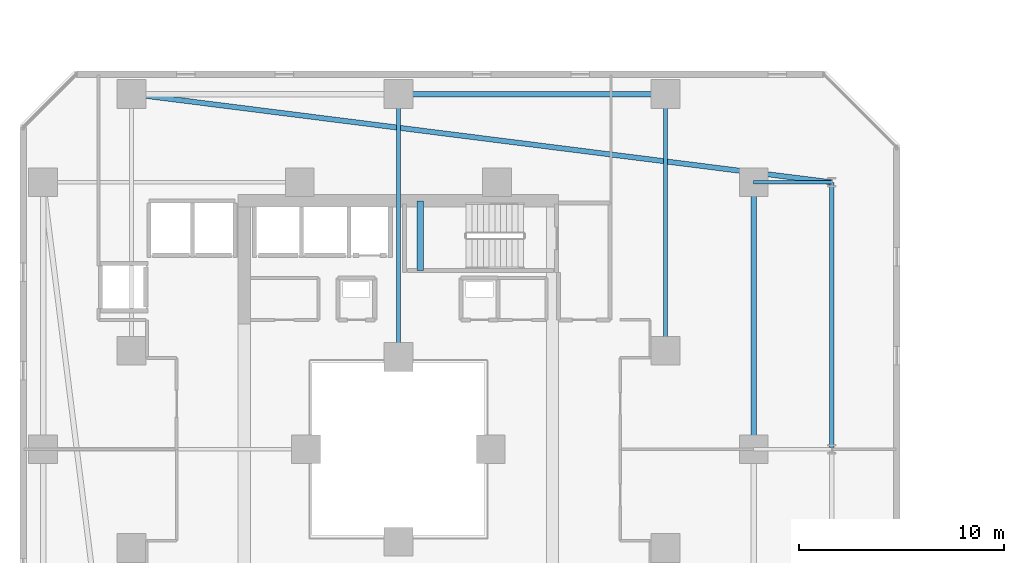
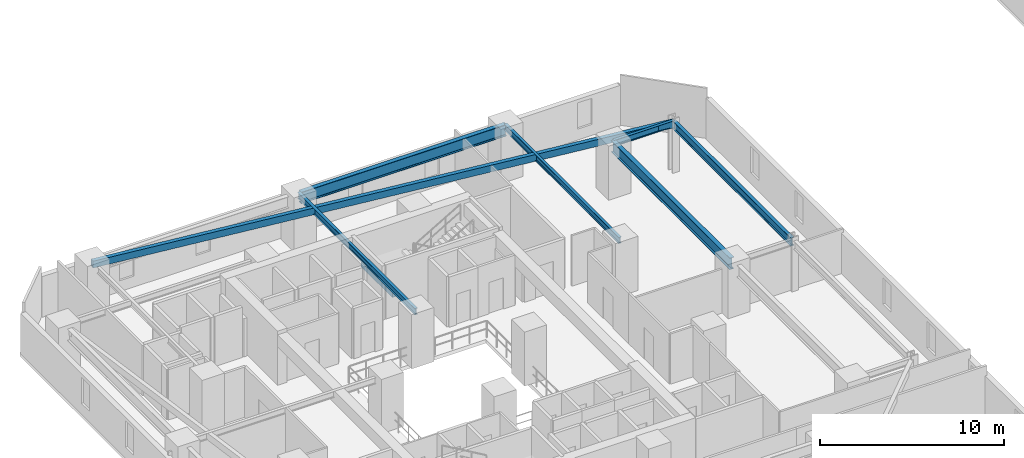
# One storey, part 9 of 34: 8 beams.
"""IFC4 building model written with IfcOpenShell, lengths in metres."""

from ifc_helpers import new_model, si_unit, direction, frame, origin, origin_2d, place, context, subcontext, project, spatial, rectangle, hollow_rectangle, i_section, extrude, material, material_profile, profile_set, type_object, element, save


model = new_model("IFC4")

# Units and contexts
model_context = context("Model", 3, precision=1e-05, world=origin(), true_north=direction((0.0, 1.0)))
body_context = subcontext(model_context, "Body", "Model", "MODEL_VIEW")
ifc_project = project(units=[si_unit("LENGTHUNIT", "METRE"), si_unit("AREAUNIT", "SQUARE_METRE"), si_unit("VOLUMEUNIT", "CUBIC_METRE"), si_unit("PLANEANGLEUNIT", "RADIAN"), si_unit("MASSUNIT", "GRAM", prefix="KILO")], contexts=[model_context])

# Site, building, storey
site_placement = place(None, origin())
site = spatial("IfcSite", under=ifc_project, at=site_placement, CompositionType="ELEMENT")
building_placement = place(site_placement, origin())
building = spatial("IfcBuilding", under=site, at=building_placement, Name="Thornwick Lancets Civic Towers", CompositionType="ELEMENT")
storey_placement = place(building_placement, frame((0.0, 0.0, 57.300048828125)))
storey = spatial("IfcBuildingStorey", under=building, at=storey_placement, Name="L14", CompositionType="ELEMENT", Elevation=57.300048828125)

# Beams
ifc_material_1 = material(Name="Steel S355JR", Category="steel")
ifc_material_profile_1 = material_profile(ifc_material_1, i_section(OverallWidth=0.2119140625, OverallDepth=0.54443359375, WebThickness=0.0126953125, FlangeThickness=0.021240234375, FilletRadius=0.0126953125, at=origin_2d()), Name="UKB 533x210x122")
ifc_profile_set_1 = profile_set([ifc_material_profile_1], Name="Steel S355JR")
beam_type_1 = type_object("IfcBeamType", Name="BM_EDGE_533_122", PredefinedType="SPANDREL", material=ifc_profile_set_1)
beam_1_placement = place(storey_placement, frame((46.60009765625, 27.080078125, 3.087646484375), z_axis=(0.0, 1.0, 0.0), x_axis=(-1.0, 0.0, 0.0)))
element("IfcBeam", 1, at=beam_1_placement, inside=storey, type_object=beam_type_1, Name="BM-EDGE-L14-A-S1-2", PredefinedType="SPANDREL", context=body_context, shape_type="SweptSolid", body=[
    extrude(i_section(OverallWidth=0.2119140625, OverallDepth=0.54443359375, WebThickness=0.0126953125, FlangeThickness=0.021240234375, FilletRadius=0.0126953125, at=origin_2d()), origin(), (0.0, 0.0, 1.0), 12.919921875),
])
ifc_material_profile_2 = material_profile(ifc_material_1, i_section(OverallWidth=0.26806640625, OverallDepth=0.769775390625, WebThickness=0.015625, FlangeThickness=0.025390625, FilletRadius=0.0166015625, at=origin_2d()), Name="UKB 762x267x197")
ifc_profile_set_2 = profile_set([ifc_material_profile_2], Name="Steel S355JR")
beam_type_2 = type_object("IfcBeamType", Name="BM_GIRD_762_197", PredefinedType="BEAM", material=ifc_profile_set_2)
for number, where, z_axis, x_axis, name in (
    (2, (42.800048828125, 27.080078125, 2.97509765625), (0.0, 1.0, 0.0), (-1.0, 0.0, 0.0), "BM-SPINE-L14-A-4-5"),
    (3, (25.580078125, 44.300048828125, 2.97509765625), (1.0, 0.0, 0.0), (0.0, 1.0, 0.0), "BM-SPINE-L14-A-7-8"),
):
    element("IfcBeam", number, at=place(storey_placement, frame(where, z_axis=z_axis, x_axis=x_axis)), inside=storey, type_object=beam_type_2, Name=name, PredefinedType="BEAM", context=body_context, shape_type="SweptSolid", body=[
        extrude(i_section(OverallWidth=0.26806640625, OverallDepth=0.769775390625, WebThickness=0.015625, FlangeThickness=0.025390625, FilletRadius=0.0166015625, at=origin_2d()), origin(), (0.0, 0.0, 1.0), 12.919921875),
    ])
ifc_material_profile_3 = material_profile(ifc_material_1, i_section(OverallWidth=0.179443359375, OverallDepth=0.412841796875, WebThickness=0.009521484375, FlangeThickness=0.01611328125, FilletRadius=0.01025390625, at=origin_2d()), Name="UKB 406x178x74")
ifc_profile_set_3 = profile_set([ifc_material_profile_3], Name="Steel S355JR")
beam_type_3 = type_object("IfcBeamType", Name="BM_JOIST_406_74", PredefinedType="JOIST", material=ifc_profile_set_3)
beam_2_placement = place(storey_placement, frame((42.800048828125, 40.0, 3.153564453125), z_axis=(1.0, 0.0, 0.0), x_axis=(0.0, 1.0, 0.0)))
element("IfcBeam", 4, at=beam_2_placement, inside=storey, type_object=beam_type_3, Name="BM-RAD-L14-A06", PredefinedType="JOIST", context=body_context, shape_type="SweptSolid", body=[
    extrude(i_section(OverallWidth=0.179443359375, OverallDepth=0.412841796875, WebThickness=0.009521484375, FlangeThickness=0.01611328125, FilletRadius=0.01025390625, at=origin_2d()), origin(), (0.0, 0.0, 1.0), 3.800048828125),
])
beam_3_placement = place(storey_placement, frame((25.5, 31.5, 3.153564453125), z_axis=(0.0, 1.0, 0.0), x_axis=(-1.0, 0.0, 0.0)))
element("IfcBeam", 5, at=beam_3_placement, inside=storey, type_object=beam_type_3, Name="BM-RADIN-L14-A08", PredefinedType="JOIST", context=body_context, shape_type="SweptSolid", body=[
    extrude(i_section(OverallWidth=0.179443359375, OverallDepth=0.412841796875, WebThickness=0.009521484375, FlangeThickness=0.01611328125, FilletRadius=0.01025390625, at=origin_2d()), origin(), (0.0, 0.0, 1.0), 12.800048828125),
])
beam_4_placement = place(storey_placement, frame((38.5, 31.800048828125, 3.153564453125), z_axis=(0.0, 1.0, 0.0), x_axis=(-1.0, 0.0, 0.0)))
element("IfcBeam", 6, at=beam_4_placement, inside=storey, type_object=beam_type_3, Name="BM-RADIN-L14-A09", PredefinedType="JOIST", context=body_context, shape_type="SweptSolid", body=[
    extrude(i_section(OverallWidth=0.179443359375, OverallDepth=0.412841796875, WebThickness=0.009521484375, FlangeThickness=0.01611328125, FilletRadius=0.01025390625, at=origin_2d()), origin(), (0.0, 0.0, 1.0), 12.5),
])
ifc_material_profile_4 = material_profile(ifc_material_1, hollow_rectangle(XDim=0.25, YDim=0.449951171875, WallThickness=0.01611328125, at=origin_2d()), Name="RHS 450x250x16")
ifc_profile_set_4 = profile_set([ifc_material_profile_4], Name="Steel S355JR")
beam_type_4 = type_object("IfcBeamType", Name="BM_RING_RHS450", PredefinedType="BEAM", material=ifc_profile_set_4)
beam_5_placement = place(storey_placement, frame((46.60009765625, 40.0, 3.135009765625), z_axis=(-0.992142878225, 0.12510998836, 0.0), x_axis=(-0.12510998836, -0.992142878225, 0.0)))
element("IfcBeam", 7, at=beam_5_placement, inside=storey, type_object=beam_type_4, Name="BM-CHAMF-L14-A-C1", PredefinedType="BEAM", context=body_context, shape_type="SweptSolid", body=[
    extrude(hollow_rectangle(XDim=0.25, YDim=0.449951171875, WallThickness=0.01611328125, at=origin_2d()), origin(), (0.0, 0.0, 1.0), 34.3701171875),
])
ifc_material_2 = material(Name="Concrete C40/50", Category="concrete")
ifc_material_profile_5 = material_profile(ifc_material_2, rectangle(XDim=0.300048828125, YDim=0.35009765625, at=origin_2d()), Name="RC 300x350")
ifc_profile_set_5 = profile_set([ifc_material_profile_5], Name="Concrete C40/50")
beam_type_5 = type_object("IfcBeamType", Name="BM_STAIR_LDG", PredefinedType="BEAM", material=ifc_profile_set_5)
beam_6_placement = place(storey_placement, frame((26.56494140625, 39.10009765625, 1.3779296875), z_axis=(0.0, -1.0, 0.0), x_axis=(1.0, 0.0, 0.0)))
element("IfcBeam", 8, at=beam_6_placement, inside=storey, type_object=beam_type_5, Name="L14 ST-A2 Landing Support Beam 1", PredefinedType="BEAM", context=body_context, shape_type="SweptSolid", body=[
    extrude(rectangle(XDim=0.300048828125, YDim=0.35009765625, at=origin_2d()), origin(), (0.0, 0.0, 1.0), 3.400146484375),
])

save(model, "model.ifc")
